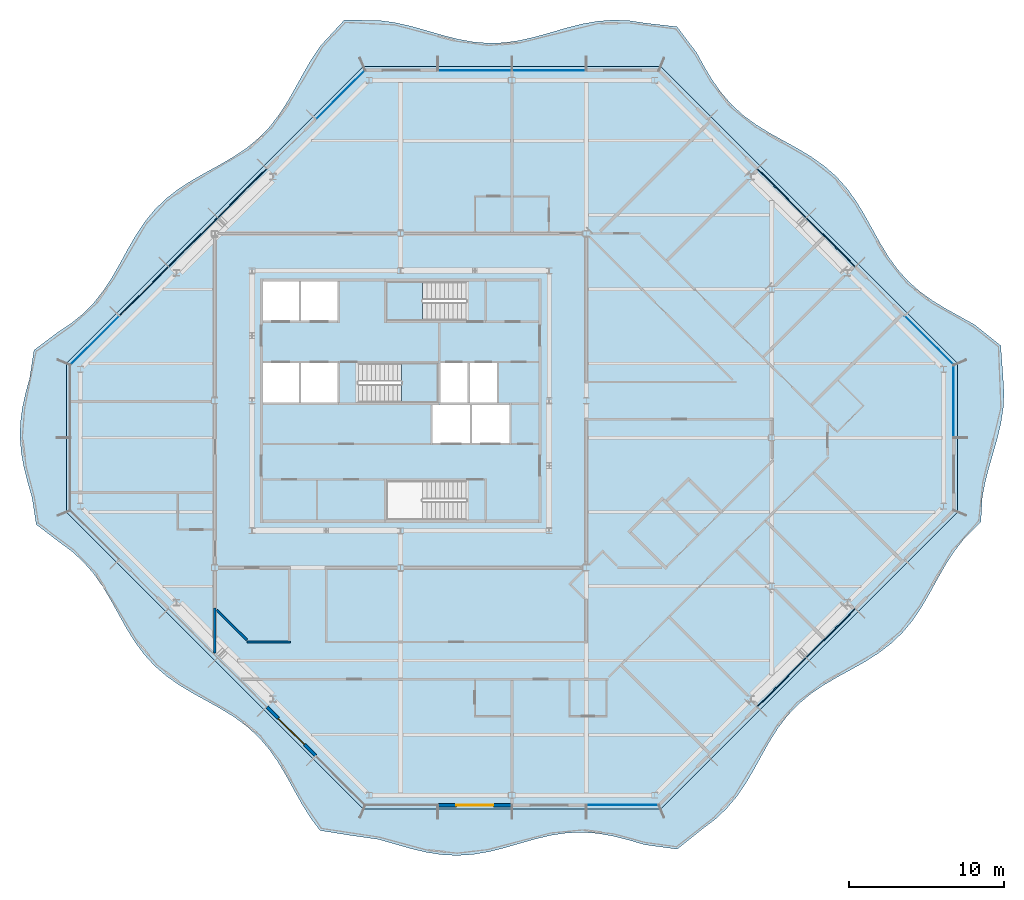
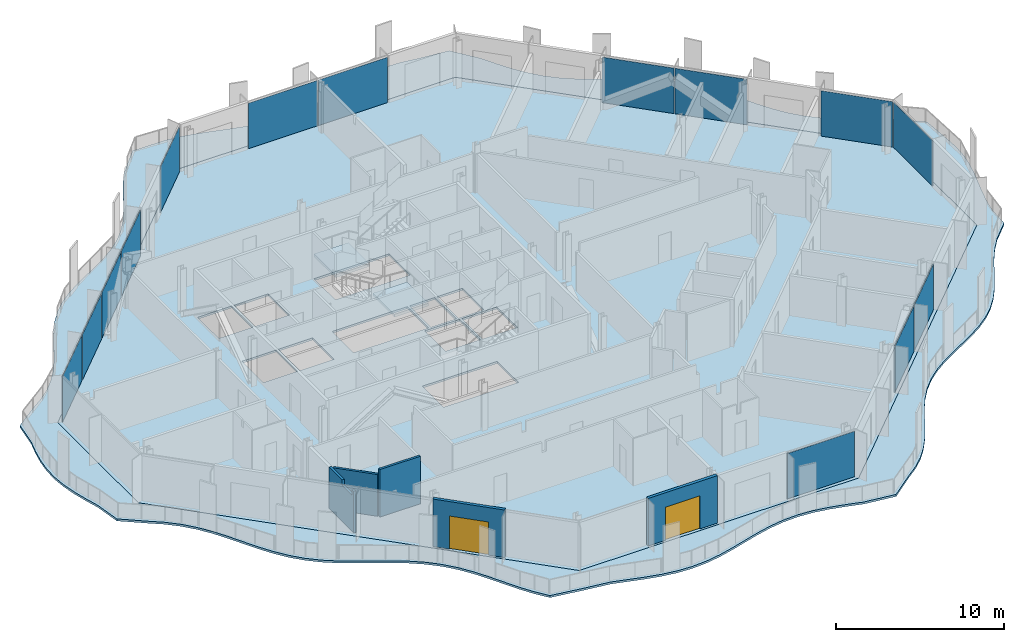
# One storey, part 6 of 17: 14 plates, 5 walls, 4 slabs, 2 doors, 2 openings, 8 elements without a shape of their own.
"""IFC4 building model written with IfcOpenShell, lengths in metres."""

from ifc_helpers import new_model, si_unit, direction, frame, frame_2d, origin, origin_2d, place, context, subcontext, project, spatial, polyline, rectangle, outline, extrude, material, layer, layer_set, type_object, element, fill, aggregate, save


model = new_model("IFC4")

# Units and contexts
model_context = context("Model", 3, precision=1e-05, world=origin(), true_north=direction((0.0, 1.0)))
body_context = subcontext(model_context, "Body", "Model", "MODEL_VIEW")
ifc_project = project(units=[si_unit("LENGTHUNIT", "METRE"), si_unit("AREAUNIT", "SQUARE_METRE"), si_unit("VOLUMEUNIT", "CUBIC_METRE"), si_unit("PLANEANGLEUNIT", "RADIAN"), si_unit("MASSUNIT", "GRAM", prefix="KILO")], contexts=[model_context])

# Site, building, storey
site_placement = place(None, origin())
site = spatial("IfcSite", under=ifc_project, at=site_placement, CompositionType="ELEMENT")
building_placement = place(site_placement, origin())
building = spatial("IfcBuilding", under=site, at=building_placement, Name="Cairn Pilgrim Tower", CompositionType="ELEMENT")
storey_placement = place(building_placement, frame((0.0, 0.0, 246.60009765625)))
storey = spatial("IfcBuildingStorey", under=building, at=storey_placement, Name="L63", CompositionType="ELEMENT", Elevation=246.60009765625)

# Slabs
ifc_material_1 = material(Name="Concrete C35/45", Category="concrete")
ifc_layer_1 = layer(ifc_material_1, 0.14990234375)
ifc_layer_set_1 = layer_set([ifc_layer_1], Name="BALCONY SLAB 150 CONCRETE C35/45")
slab_type_1 = type_object("IfcSlabType", Name="BALCONY SLAB 150 CONCRETE C35/45", PredefinedType="FLOOR", material=ifc_layer_set_1)
slab_1_placement = place(storey_placement, frame((0.0, 0.0, -0.150146484375)))
element("IfcSlab", 1, at=slab_1_placement, inside=storey, type_object=slab_type_1, Name="Balcony slab BS-1", PredefinedType="FLOOR", context=body_context, shape_type="SweptSolid", body=[
    extrude(outline(polyline([(1.9931640625, -25.384521484375), (4.087646484375, -25.7197265625), (5.810546875, -25.9658203125), (6.821044921875, -26.256103515625), (7.83154296875, -26.545654296875), (8.842041015625, -26.7890625), (9.8525390625, -26.94873046875), (10.863037109375, -26.999755859375), (11.873779296875, -26.934326171875), (12.88427734375, -26.762451171875), (13.894775390625, -26.510986328125), (14.9052734375, -26.218994140625), (15.915771484375, -25.931884765625), (16.92626953125, -25.694091796875), (17.936767578125, -25.542724609375), (18.947265625, -25.501220703125), (19.9580078125, -25.576171875), (20.968505859375, -25.755859375), (21.97900390625, -26.012451171875), (22.989501953125, -26.3056640625), (25.072998046875, -26.590576171875), (26.7060546875, -25.283935546875), (27.518310546875, -24.673828125), (28.252685546875, -23.986083984375), (28.90576171875, -23.216796875), (29.486572265625, -22.375244140625), (30.014892578125, -21.4814453125), (30.51904296875, -20.5634765625), (31.03076171875, -19.653076171875), (31.580810546875, -18.781005859375), (32.194091796875, -17.971923828125), (32.8857421875, -17.2412109375), (33.658447265625, -16.591796875), (34.5029296875, -16.013916015625), (35.3984375, -15.4873046875), (36.31689453125, -14.983642578125), (37.22607421875, -14.470703125), (38.095947265625, -13.918212890625), (38.901611328125, -13.301513671875), (39.628662109375, -12.6064453125), (40.274658203125, -11.830078125), (40.849609375, -10.98291015625), (41.37451171875, -10.08544921875), (41.8779296875, -9.166748046875), (42.39208984375, -8.2587890625), (42.947021484375, -7.391357421875), (43.56689453125, -6.589111328125), (44.707275390625, -5.42431640625), (44.797607421875, -3.840087890625), (44.9794921875, -2.8798828125), (45.2275390625, -1.919921875), (45.5068359375, -0.9599609375), (45.778076171875, 0.0), (46.00341796875, 0.9599609375), (46.15087890625, 1.919921875), (46.199951171875, 2.8798828125), (46.143798828125, 3.840087890625), (45.989990234375, 5.95556640625), (44.290771484375, 7.31298828125), (43.376220703125, 7.820556640625), (42.46044921875, 8.3271484375), (41.5751953125, 8.864013671875), (40.7470703125, 9.4580078125), (39.993896484375, 10.12744140625), (39.32275390625, 10.878173828125), (38.726806640625, 11.70458984375), (38.188720703125, 12.5888671875), (37.681884765625, 13.504150390625), (37.174560546875, 14.419189453125), (36.6357421875, 15.302490234375), (36.03857421875, 16.12744140625), (35.36572265625, 16.876953125), (34.611328125, 17.54443359375), (33.78173828125, 18.13720703125), (32.8955078125, 18.67333984375), (31.9794921875, 19.1796875), (31.0654296875, 19.6875), (30.18408203125, 20.228515625), (29.362060546875, 20.828857421875), (28.616455078125, 21.50537109375), (27.952392578125, 22.263427734375), (27.362548828125, 23.095947265625), (26.82861328125, 23.984130859375), (26.322998046875, 24.900634765625), (25.062744140625, 26.5654296875), (22.989501953125, 26.803955078125), (21.97900390625, 26.956298828125), (20.968505859375, 26.9990234375), (19.9580078125, 26.925048828125), (18.947265625, 26.746337890625), (17.936767578125, 26.490478515625), (16.92626953125, 26.197265625), (15.915771484375, 25.912109375), (14.9052734375, 25.6796875), (13.894775390625, 25.53564453125), (12.88427734375, 25.5029296875), (11.873779296875, 25.586181640625), (10.863037109375, 25.7724609375), (9.8525390625, 26.033203125), (8.842041015625, 26.32763671875), (7.83154296875, 26.60986328125), (6.821044921875, 26.836181640625), (5.810546875, 26.971435546875), (3.5595703125, 26.99462890625), (2.036376953125, 25.34130859375), (1.461181640625, 24.494384765625), (0.936279296875, 23.596923828125), (0.432861328125, 22.67822265625), (-0.081298828125, 21.77001953125), (-0.635986328125, 20.90283203125), (-1.255859375, 20.100341796875), (-1.95458984375, 19.376708984375), (-2.734130859375, 18.734130859375), (-3.583984375, 18.161865234375), (-4.48291015625, 17.638427734375), (-5.40185546875, 17.13525390625), (-6.308837890625, 16.619873046875), (-7.173828125, 16.062744140625), (-7.972900390625, 15.439453125), (-8.692626953125, 14.737060546875), (-9.331787109375, 13.9541015625), (-9.9013671875, 13.101318359375), (-10.423095703125, 12.200927734375), (-10.92626953125, 11.281982421875), (-11.44287109375, 10.376220703125), (-12.002685546875, 9.513916015625), (-12.629150390625, 8.718017578125), (-13.335205078125, 8.001953125), (-14.121826171875, 7.3662109375), (-14.97705078125, 6.79931640625), (-16.49169921875, 5.66650390625), (-16.772705078125, 3.840087890625), (-17.03662109375, 2.8798828125), (-17.24609375, 1.919921875), (-17.371826171875, 0.9599609375), (-17.396240234375, 0.0), (-17.315673828125, -0.9599609375), (-17.141845703125, -1.919921875), (-16.89892578125, -2.8798828125), (-16.620849609375, -3.840087890625), (-16.34716796875, -5.6064453125), (-14.8955078125, -6.7177734375), (-14.073486328125, -7.31787109375), (-13.32763671875, -7.994140625), (-12.663330078125, -8.752197265625), (-12.073486328125, -9.58447265625), (-11.539306640625, -10.47265625), (-11.03369140625, -11.38916015625), (-10.52490234375, -12.302734375), (-9.981689453125, -13.181884765625), (-9.37841796875, -14.000732421875), (-8.698486328125, -14.742919921875), (-7.93701171875, -15.403564453125), (-7.1015625, -15.990478515625), (-6.211669921875, -16.522705078125), (-5.29443359375, -17.02783203125), (-4.3818359375, -17.537353515625), (-3.5048828125, -18.082763671875), (-2.689208984375, -18.689208984375), (-1.95068359375, -19.372802734375), (-1.293701171875, -20.13818359375), (-0.709716796875, -20.976318359375), (-0.179443359375, -21.8681640625), (0.3251953125, -22.785888671875), (0.8359375, -23.697509765625), (1.383544921875, -24.572021484375), (1.9931640625, -25.384521484375)]), holes=[polyline([(24.0, -24.0), (4.800048828125, -24.0), (-14.39990234375, -4.800048828125), (-14.39990234375, 4.800048828125), (4.800048828125, 24.0), (24.0, 24.0), (43.199951171875, 4.800048828125), (43.199951171875, -4.800048828125), (24.0, -24.0)])]), origin(), (0.0, 0.0, 1.0), 0.150146484375),
])
ifc_layer_2 = layer(ifc_material_1, 0.14990234375)
ifc_layer_set_2 = layer_set([ifc_layer_2], Name="COMPOSITE FLOOR SLAB 150")
slab_type_2 = type_object("IfcSlabType", Name="COMPOSITE FLOOR SLAB 150", PredefinedType="FLOOR", material=ifc_layer_set_2)
slab_2_placement = place(storey_placement, frame((0.0, 0.0, -0.150146484375)))
element("IfcSlab", 2, at=slab_2_placement, inside=storey, type_object=slab_type_2, Name="FLOOR SLAB L63", PredefinedType="FLOOR", context=body_context, shape_type="SweptSolid", body=[
    extrude(outline(polyline([(4.800048828125, -24.0), (24.0, -24.0), (43.199951171875, -4.800048828125), (43.199951171875, 4.800048828125), (24.0, 24.0), (4.800048828125, 24.0), (-14.39990234375, 4.800048828125), (-14.39990234375, -4.800048828125), (4.800048828125, -24.0)]), holes=[polyline([(9.27490234375, -0.324951171875), (11.675048828125, -0.324951171875), (11.675048828125, 2.125), (9.27490234375, 2.125), (9.27490234375, -0.324951171875)]), polyline([(11.824951171875, -0.324951171875), (14.22509765625, -0.324951171875), (14.22509765625, 2.125), (11.824951171875, 2.125), (11.824951171875, -0.324951171875)]), polyline([(-1.72509765625, 2.27490234375), (0.625, 2.27490234375), (0.625, 4.824951171875), (-1.72509765625, 4.824951171875), (-1.72509765625, 2.27490234375)]), polyline([(0.77490234375, 2.27490234375), (3.125, 2.27490234375), (3.125, 4.824951171875), (0.77490234375, 4.824951171875), (0.77490234375, 2.27490234375)]), polyline([(-1.72509765625, 7.574951171875), (0.625, 7.574951171875), (0.625, 10.10009765625), (-1.72509765625, 10.10009765625), (-1.72509765625, 7.574951171875)]), polyline([(0.77490234375, 7.574951171875), (3.125, 7.574951171875), (3.125, 10.10009765625), (0.77490234375, 10.10009765625), (0.77490234375, 7.574951171875)]), polyline([(9.77490234375, 2.27490234375), (11.52490234375, 2.27490234375), (11.52490234375, 4.824951171875), (9.77490234375, 4.824951171875), (9.77490234375, 2.27490234375)]), polyline([(11.675048828125, 2.27490234375), (13.425048828125, 2.27490234375), (13.425048828125, 4.824951171875), (11.675048828125, 4.824951171875), (11.675048828125, 2.27490234375)]), polyline([(11.424560546875, -2.77490234375), (6.27490234375, -2.77490234375), (6.27490234375, -5.300048828125), (11.424560546875, -5.300048828125), (11.424560546875, -2.77490234375)]), polyline([(4.4755859375, 2.27490234375), (9.625, 2.27490234375), (9.625, 4.824951171875), (4.4755859375, 4.824951171875), (4.4755859375, 2.27490234375)]), polyline([(11.424560546875, 10.10009765625), (6.27490234375, 10.10009765625), (6.27490234375, 7.574951171875), (11.424560546875, 7.574951171875), (11.424560546875, 10.10009765625)])]), origin(), (0.0, 0.0, 1.0), 0.150146484375),
])

# Curtain wall, plates
ifc_material_2 = material(Name="Aluminium alloy 6063-T6 bronze anodised with Bronze tinted laminated low-E glass 8+16+8.8", Category="aluminium")
curtain_wall_type_1 = type_object("IfcCurtainWallType", Name="CHAMFER CORNER CURTAIN WALL", PredefinedType="NOTDEFINED", material=ifc_material_2)
curtain_wall_1_placement = place(storey_placement, origin())
curtain_wall_1 = element("IfcCurtainWall", 3, at=curtain_wall_1_placement, inside=storey, type_object=curtain_wall_type_1, Name="Chamfer Corner Curtain Wall SE", PredefinedType="NOTDEFINED")
ifc_material_3 = material(Name="Bronze anodised aluminium spandrel panel with mineral wool insulation", Category="aluminium")
ifc_layer_3 = layer(ifc_material_3, 0.06005859375)
ifc_layer_set_3 = layer_set([ifc_layer_3], Name="SPANDREL PANEL 4431x3300")
plate_type_1 = type_object("IfcPlateType", Name="SPANDREL PANEL 4431x3300", PredefinedType="CURTAIN_PANEL", material=ifc_layer_set_3)
plate_1_placement = place(storey_placement, frame((31.83544921875, -15.81103515625, 0.0), z_axis=(0.0, 0.0, 1.0), x_axis=(0.707106781187, 0.707106781187, 0.0)))
plate_1 = element("IfcPlate", 4, at=plate_1_placement, type_object=plate_type_1, Name="Spandrel Panel SE3-1", PredefinedType="CURTAIN_PANEL", context=body_context, shape_type="SweptSolid", body=[
    extrude(rectangle(XDim=4.430908203125, YDim=0.06005859375, at=origin_2d()), origin(), (0.0, 0.0, 1.0), 3.300048828125),
])
plate_2_placement = place(storey_placement, frame((35.010986328125, -12.635498046875, 0.0), z_axis=(0.0, 0.0, 1.0), x_axis=(0.707106781187, 0.707106781187, 0.0)))
plate_2 = element("IfcPlate", 5, at=plate_2_placement, type_object=plate_type_1, Name="Spandrel Panel SE4-1", PredefinedType="CURTAIN_PANEL", context=body_context, shape_type="SweptSolid", body=[
    extrude(rectangle(XDim=4.430908203125, YDim=0.06005859375, at=origin_2d()), origin(), (0.0, 0.0, 1.0), 3.300048828125),
])
aggregate(curtain_wall_1, [plate_1, plate_2])

curtain_wall_2_placement = place(storey_placement, origin())
curtain_wall_2 = element("IfcCurtainWall", 6, at=curtain_wall_2_placement, inside=storey, type_object=curtain_wall_type_1, Name="Chamfer Corner Curtain Wall NE", PredefinedType="NOTDEFINED")
plate_3_placement = place(storey_placement, frame((35.010986328125, 12.635498046875, 0.0), z_axis=(0.0, 0.0, 1.0), x_axis=(-0.707106781187, 0.707106781187, 0.0)))
plate_3 = element("IfcPlate", 7, at=plate_3_placement, type_object=plate_type_1, Name="Spandrel Panel NE3-1", PredefinedType="CURTAIN_PANEL", context=body_context, shape_type="SweptSolid", body=[
    extrude(rectangle(XDim=4.430908203125, YDim=0.06005859375, at=origin_2d()), origin(), (0.0, 0.0, 1.0), 3.300048828125),
])
plate_4_placement = place(storey_placement, frame((31.83544921875, 15.81103515625, 0.0), z_axis=(0.0, 0.0, 1.0), x_axis=(-0.707106781187, 0.707106781187, 0.0)))
plate_4 = element("IfcPlate", 8, at=plate_4_placement, type_object=plate_type_1, Name="Spandrel Panel NE4-1", PredefinedType="CURTAIN_PANEL", context=body_context, shape_type="SweptSolid", body=[
    extrude(rectangle(XDim=4.430908203125, YDim=0.06005859375, at=origin_2d()), origin(), (0.0, 0.0, 1.0), 3.300048828125),
])

curtain_wall_3_placement = place(storey_placement, origin())
curtain_wall_3 = element("IfcCurtainWall", 9, at=curtain_wall_3_placement, inside=storey, type_object=curtain_wall_type_1, Name="Chamfer Corner Curtain Wall NW", PredefinedType="NOTDEFINED")
plate_5_placement = place(storey_placement, frame((-3.035400390625, 15.81103515625, 0.0), z_axis=(0.0, 0.0, 1.0), x_axis=(-0.707106781187, -0.707106781187, 0.0)))
plate_5 = element("IfcPlate", 10, at=plate_5_placement, type_object=plate_type_1, Name="Spandrel Panel NW3-1", PredefinedType="CURTAIN_PANEL", context=body_context, shape_type="SweptSolid", body=[
    extrude(rectangle(XDim=4.430908203125, YDim=0.06005859375, at=origin_2d()), origin(), (0.0, 0.0, 1.0), 3.300048828125),
])
plate_6_placement = place(storey_placement, frame((-6.2109375, 12.635498046875, 0.0), z_axis=(0.0, 0.0, 1.0), x_axis=(-0.707106781187, -0.707106781187, 0.0)))
plate_6 = element("IfcPlate", 11, at=plate_6_placement, type_object=plate_type_1, Name="Spandrel Panel NW4-1", PredefinedType="CURTAIN_PANEL", context=body_context, shape_type="SweptSolid", body=[
    extrude(rectangle(XDim=4.430908203125, YDim=0.06005859375, at=origin_2d()), origin(), (0.0, 0.0, 1.0), 3.300048828125),
])
plate_7_placement = place(storey_placement, frame((-9.38671875, 9.459716796875, 0.0), z_axis=(0.0, 0.0, 1.0), x_axis=(-0.707106781187, -0.707106781187, 0.0)))
plate_7 = element("IfcPlate", 12, at=plate_7_placement, type_object=plate_type_1, Name="Spandrel Panel NW5-1", PredefinedType="CURTAIN_PANEL", context=body_context, shape_type="SweptSolid", body=[
    extrude(rectangle(XDim=4.430908203125, YDim=0.06005859375, at=origin_2d()), origin(), (0.0, 0.0, 1.0), 3.300048828125),
])

# Stair, slab
ifc_material_4 = material(Name="Concrete C32/40", Category="concrete")
stair_type = type_object("IfcStairType", Name="EXIT STAIR 1200", PredefinedType="HALF_TURN_STAIR", material=ifc_material_4)
stair_1_placement = place(storey_placement, origin())
stair_1 = element("IfcStair", 13, at=stair_1_placement, inside=storey, type_object=stair_type, Name="L63 Exit Stair B", PredefinedType="HALF_TURN_STAIR")
ifc_layer_4 = layer(ifc_material_4, 0.199951171875)
ifc_layer_set_4 = layer_set([ifc_layer_4], Name="STAIR LANDING 200")
slab_type_3 = type_object("IfcSlabType", Name="STAIR LANDING 200", PredefinedType="LANDING", material=ifc_layer_set_4)
slab_3_placement = place(storey_placement, frame((0.0, 0.0, 1.599853515625)))
slab_3 = element("IfcSlab", 14, at=slab_3_placement, type_object=slab_type_3, Name="ST-B landing 1", PredefinedType="LANDING", context=body_context, shape_type="SweptSolid", body=[
    extrude(outline(polyline([(7.27490234375, 2.27490234375), (9.625, 2.27490234375), (9.625, 4.824951171875), (7.27490234375, 4.824951171875), (7.27490234375, 2.27490234375)])), origin(), (0.0, 0.0, 1.0), 0.199951171875),
])
aggregate(stair_1, [slab_3])

stair_2_placement = place(storey_placement, origin())
stair_2 = element("IfcStair", 15, at=stair_2_placement, inside=storey, type_object=stair_type, Name="L63 Exit Stair C", PredefinedType="HALF_TURN_STAIR")
slab_4_placement = place(storey_placement, frame((0.0, 0.0, 1.599853515625)))
slab_4 = element("IfcSlab", 16, at=slab_4_placement, type_object=slab_type_3, Name="ST-C landing 1", PredefinedType="LANDING", context=body_context, shape_type="SweptSolid", body=[
    extrude(outline(polyline([(8.625, 10.10009765625), (6.27490234375, 10.10009765625), (6.27490234375, 7.574951171875), (8.625, 7.574951171875), (8.625, 10.10009765625)])), origin(), (0.0, 0.0, 1.0), 0.199951171875),
])
aggregate(stair_2, [slab_4])

# Plate
ifc_material_5 = material(Name="Bronze tinted laminated low-E glass 8+16+8.8", Category="glass")
ifc_layer_5 = layer(ifc_material_5, 0.033935546875)
ifc_layer_set_5 = layer_set([ifc_layer_5], Name="VISION GLAZING 4421x3300")
plate_type_2 = type_object("IfcPlateType", Name="VISION GLAZING 4421x3300", PredefinedType="CURTAIN_PANEL", material=ifc_layer_set_5)
plate_8_placement = place(storey_placement, frame((41.358642578125, 6.287841796875, 0.0), z_axis=(0.0, 0.0, 1.0), x_axis=(-0.707106781187, 0.707106781187, 0.0)))
plate_8 = element("IfcPlate", 17, at=plate_8_placement, type_object=plate_type_2, Name="Vision Glazing NE1-1", PredefinedType="CURTAIN_PANEL", context=body_context, shape_type="SweptSolid", body=[
    extrude(rectangle(XDim=4.4208984375, YDim=0.033935546875, at=origin_2d()), origin(), (0.0, 0.0, 1.0), 3.300048828125),
])

aggregate(curtain_wall_2, [plate_8, plate_3, plate_4])

plate_9_placement = place(storey_placement, frame((3.312255859375, 22.15869140625, 0.0), z_axis=(0.0, 0.0, 1.0), x_axis=(-0.707106781187, -0.707106781187, 0.0)))
plate_9 = element("IfcPlate", 18, at=plate_9_placement, type_object=plate_type_2, Name="Vision Glazing NW1-1", PredefinedType="CURTAIN_PANEL", context=body_context, shape_type="SweptSolid", body=[
    extrude(rectangle(XDim=4.4208984375, YDim=0.033935546875, at=origin_2d()), origin(), (0.0, 0.0, 1.0), 3.300048828125),
])

plate_10_placement = place(storey_placement, frame((-12.55859375, 6.287841796875, 0.0), z_axis=(0.0, 0.0, 1.0), x_axis=(-0.707106781187, -0.707106781187, 0.0)))
plate_10 = element("IfcPlate", 19, at=plate_10_placement, type_object=plate_type_2, Name="Vision Glazing NW6-1", PredefinedType="CURTAIN_PANEL", context=body_context, shape_type="SweptSolid", body=[
    extrude(rectangle(XDim=4.4208984375, YDim=0.033935546875, at=origin_2d()), origin(), (0.0, 0.0, 1.0), 3.300048828125),
])

aggregate(curtain_wall_3, [plate_9, plate_5, plate_6, plate_7, plate_10])

# Curtain wall, plate
curtain_wall_type_2 = type_object("IfcCurtainWallType", Name="TOWER STICK CURTAIN WALL NS", PredefinedType="NOTDEFINED", material=ifc_material_2)
curtain_wall_4_placement = place(storey_placement, origin())
curtain_wall_4 = element("IfcCurtainWall", 20, at=curtain_wall_4_placement, inside=storey, type_object=curtain_wall_type_2, Name="Tower Stick Curtain Wall Ns S", PredefinedType="NOTDEFINED")
ifc_layer_6 = layer(ifc_material_5, 0.033935546875)
ifc_layer_set_6 = layer_set([ifc_layer_6], Name="VISION GLAZING 4626x3300")
plate_type_3 = type_object("IfcPlateType", Name="VISION GLAZING 4626x3300", PredefinedType="CURTAIN_PANEL", material=ifc_layer_set_6)
plate_11_placement = place(storey_placement, frame((21.543212890625, -23.75, 0.0), z_axis=(0.0, 0.0, 1.0), x_axis=(1.0, 0.0, 0.0)))
plate_11 = element("IfcPlate", 21, at=plate_11_placement, type_object=plate_type_3, Name="Vision Glazing S4-1", PredefinedType="CURTAIN_PANEL", context=body_context, shape_type="SweptSolid", body=[
    extrude(rectangle(XDim=4.62646484375, YDim=0.033935546875, at=origin_2d()), origin(), (0.0, 0.0, 1.0), 3.300048828125),
])
aggregate(curtain_wall_4, [plate_11])

curtain_wall_type_3 = type_object("IfcCurtainWallType", Name="TOWER STICK CURTAIN WALL EW", PredefinedType="NOTDEFINED", material=ifc_material_2)
curtain_wall_5_placement = place(storey_placement, origin())
curtain_wall_5 = element("IfcCurtainWall", 22, at=curtain_wall_5_placement, inside=storey, type_object=curtain_wall_type_3, Name="Tower Stick Curtain Wall Ew E", PredefinedType="NOTDEFINED")
plate_12_placement = place(storey_placement, frame((42.949951171875, 2.34326171875, 0.0), z_axis=(0.0, 0.0, 1.0), x_axis=(0.0, 1.0, 0.0)))
plate_12 = element("IfcPlate", 23, at=plate_12_placement, type_object=plate_type_3, Name="Vision Glazing E2-1", PredefinedType="CURTAIN_PANEL", context=body_context, shape_type="SweptSolid", body=[
    extrude(rectangle(XDim=4.62646484375, YDim=0.033935546875, at=origin_2d()), origin(), (0.0, 0.0, 1.0), 3.300048828125),
])
aggregate(curtain_wall_5, [plate_12])

# Curtain wall, plates
curtain_wall_6_placement = place(storey_placement, origin())
curtain_wall_6 = element("IfcCurtainWall", 24, at=curtain_wall_6_placement, inside=storey, type_object=curtain_wall_type_2, Name="Tower Stick Curtain Wall Ns N", PredefinedType="NOTDEFINED")
ifc_layer_7 = layer(ifc_material_5, 0.033935546875)
ifc_layer_set_7 = layer_set([ifc_layer_7], Name="VISION GLAZING 4740x3300")
plate_type_4 = type_object("IfcPlateType", Name="VISION GLAZING 4740x3300", PredefinedType="CURTAIN_PANEL", material=ifc_layer_set_7)
plate_13_placement = place(storey_placement, frame((16.800048828125, 23.75, 0.0), z_axis=(0.0, 0.0, 1.0), x_axis=(-1.0, 0.0, 0.0)))
plate_13 = element("IfcPlate", 25, at=plate_13_placement, type_object=plate_type_4, Name="Vision Glazing N2-1", PredefinedType="CURTAIN_PANEL", context=body_context, shape_type="SweptSolid", body=[
    extrude(rectangle(XDim=4.739990234375, YDim=0.033935546875, at=origin_2d()), origin(), (0.0, 0.0, 1.0), 3.300048828125),
])
plate_14_placement = place(storey_placement, frame((12.0, 23.75, 0.0), z_axis=(0.0, 0.0, 1.0), x_axis=(-1.0, 0.0, 0.0)))
plate_14 = element("IfcPlate", 26, at=plate_14_placement, type_object=plate_type_4, Name="Vision Glazing N3-1", PredefinedType="CURTAIN_PANEL", context=body_context, shape_type="SweptSolid", body=[
    extrude(rectangle(XDim=4.739990234375, YDim=0.033935546875, at=origin_2d()), origin(), (0.0, 0.0, 1.0), 3.300048828125),
])
aggregate(curtain_wall_6, [plate_13, plate_14])

# Wall, opening, door
ifc_material_6 = material(Name="Bronze anodised aluminium insulated sandwich panel with mineral wool fill", Category="aluminium")
ifc_layer_8 = layer(ifc_material_6, 0.199951171875)
ifc_layer_set_8 = layer_set([ifc_layer_8], Name="BRONZE INFILL FRAME WALL 200")
wall_type_1 = type_object("IfcWallType", Name="BRONZE INFILL FRAME WALL 200", PredefinedType="NOTDEFINED", material=ifc_layer_set_8)
wall_1_placement = place(storey_placement, frame((9.6298828125, -23.75, 0.0), z_axis=(0.0, 0.0, 1.0), x_axis=(1.0, 0.0, 0.0)))
wall_1 = element("IfcWall", 27, at=wall_1_placement, inside=storey, type_object=wall_type_1, Name="Bronze infill frame wall IW-S2", PredefinedType="NOTDEFINED", context=body_context, shape_type="SweptSolid", body=[
    extrude(rectangle(XDim=4.740234375, YDim=0.199951171875, at=frame_2d((2.3701171875, 0.0))), origin(), (0.0, 0.0, 1.0), 3.449951171875),
])
opening_1_placement = place(wall_1_placement, frame((1.169921875, 0.0, 0.0)))
opening_1 = element("IfcOpeningElement", 28, at=opening_1_placement, cuts=wall_1, Name="Opening 6315B2", PredefinedType="OPENING", context=body_context, shape_type="SweptSolid", body=[
    extrude(rectangle(XDim=2.39990234375, YDim=2.39990234375, at=frame_2d((1.199951171875, 1.199951171875))), frame((0.0, 0.10986328125, 0.0), z_axis=(0.0, -1.0, 0.0), x_axis=(1.0, 0.0, 0.0)), (0.0, 0.0, 1.0), 0.219970703125),
])
ifc_material_7 = material(Name="Bronze anodised aluminium frame with tinted low-E glass", Category="aluminium")
door_type = type_object("IfcDoorType", Name="BALCONY SLIDING DOOR 2400x2400", OperationType="DOUBLE_DOOR_SLIDING", PredefinedType="DOOR", material=ifc_material_7)
door_1_placement = place(opening_1_placement, origin())
door_1 = element("IfcDoor", 29, at=door_1_placement, inside=storey, type_object=door_type, Name="Balcony sliding door 6315B2", OperationType="SINGLE_SWING_LEFT", OverallHeight=2.39990234375, OverallWidth=2.39990234375, PredefinedType="DOOR", context=body_context, shape_type="SweptSolid", body=[
    extrude(rectangle(XDim=2.39990234375, YDim=2.39990234375, at=frame_2d((1.199951171875, 1.199951171875))), frame((0.0, 0.02490234375, 0.0), z_axis=(0.0, -1.0, 0.0), x_axis=(1.0, 0.0, 0.0)), (0.0, 0.0, 1.0), 0.050048828125),
])
fill(opening_1, door_1)

wall_2_placement = place(storey_placement, frame((-1.426513671875, -17.419921875, 0.0), z_axis=(0.0, 0.0, 1.0), x_axis=(0.707106781187, -0.707106781187, 0.0)))
wall_2 = element("IfcWall", 30, at=wall_2_placement, inside=storey, type_object=wall_type_1, Name="Bronze infill frame wall IW-SW5", PredefinedType="NOTDEFINED", context=body_context, shape_type="SweptSolid", body=[
    extrude(rectangle(XDim=4.43115234375, YDim=0.199951171875, at=frame_2d((2.215576171875, 0.0))), origin(), (0.0, 0.0, 1.0), 3.449951171875),
])
opening_2_placement = place(wall_2_placement, frame((1.01513671875, 0.0, 0.0)))
opening_2 = element("IfcOpeningElement", 31, at=opening_2_placement, cuts=wall_2, Name="Opening 6315B", PredefinedType="OPENING", context=body_context, shape_type="SweptSolid", body=[
    extrude(rectangle(XDim=2.39990234375, YDim=2.39990234375, at=frame_2d((1.199951171875, 1.199951171875))), frame((0.0, 0.10986328125, 0.0), z_axis=(0.0, -1.0, 0.0), x_axis=(1.0, 0.0, 0.0)), (0.0, 0.0, 1.0), 0.219970703125),
])
door_2_placement = place(opening_2_placement, origin())
door_2 = element("IfcDoor", 32, at=door_2_placement, inside=storey, type_object=door_type, Name="Balcony sliding door 6315B", OperationType="SINGLE_SWING_LEFT", OverallHeight=2.39990234375, OverallWidth=2.39990234375, PredefinedType="DOOR", context=body_context, shape_type="SweptSolid", body=[
    extrude(rectangle(XDim=2.39990234375, YDim=2.39990234375, at=frame_2d((1.199951171875, 1.199951171875))), frame((0.0, 0.02490234375, 0.0), z_axis=(0.0, -1.0, 0.0), x_axis=(1.0, 0.0, 0.0)), (0.0, 0.0, 1.0), 0.050048828125),
])
fill(opening_2, door_2)

# Walls
ifc_material_8 = material(Name="Gypsum partition")
ifc_layer_9 = layer(ifc_material_8, 0.14990234375)
ifc_layer_set_9 = layer_set([ifc_layer_9], Name="PARTITION 150 DRYWALL EI 60")
wall_type_2 = type_object("IfcWallType", Name="PARTITION 150 DRYWALL EI 60", PredefinedType="PARTITIONING", material=ifc_layer_set_9)
wall_3_placement = place(storey_placement, frame((-4.800048828125, -13.926025390625, 0.0), z_axis=(0.0, 0.0, 1.0), x_axis=(0.0, 1.0, 0.0)))
element("IfcWall", 33, at=wall_3_placement, inside=storey, type_object=wall_type_2, Name="PARTITION W014", PredefinedType="PARTITIONING", context=body_context, shape_type="SweptSolid", body=[
    extrude(outline(polyline([(0.0, 0.0), (2.919921875, 0.0), (2.920166015625, 3.02978515625), (1.368896484375, 3.02978515625), (1.366943359375, 2.6298828125), (0.22900390625, 2.6298828125), (0.226806640625, 3.02978515625), (0.0, 3.02978515625), (0.0, 0.0)])), frame((0.0, 0.074951171875, 0.0), z_axis=(0.0, -1.0, 0.0), x_axis=(1.0, 0.0, 0.0)), (0.0, 0.0, 1.0), 0.14990234375),
])
wall_4_placement = place(storey_placement, frame((-2.712158203125, -13.199951171875, 0.0), z_axis=(0.0, 0.0, 1.0), x_axis=(1.0, 0.0, 0.0)))
element("IfcWall", 34, at=wall_4_placement, inside=storey, type_object=wall_type_2, Name="PARTITION W015", PredefinedType="PARTITIONING", context=body_context, shape_type="SweptSolid", body=[
    extrude(rectangle(XDim=2.787109375, YDim=0.14990234375, at=frame_2d((1.3935546875, 0.0))), origin(), (0.0, 0.0, 1.0), 3.449951171875),
])
wall_5_placement = place(storey_placement, frame((-2.73388671875, -13.072021484375, 0.0), z_axis=(0.0, 0.0, 1.0), x_axis=(-0.707151316332, 0.707062243236, 0.0)))
element("IfcWall", 35, at=wall_5_placement, inside=storey, type_object=wall_type_2, Name="PARTITION W017", PredefinedType="PARTITIONING", context=body_context, shape_type="SweptSolid", body=[
    extrude(rectangle(XDim=2.740966796875, YDim=0.14990234375, at=frame_2d((1.37060546875, 0.0))), origin(), (0.0, 0.0, 1.0), 3.02978515625),
])

save(model, "model.ifc")
